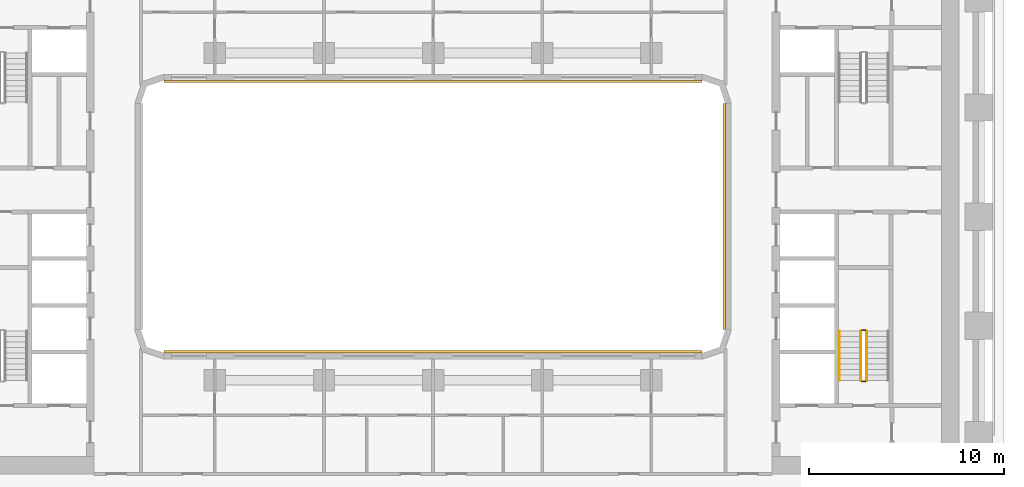
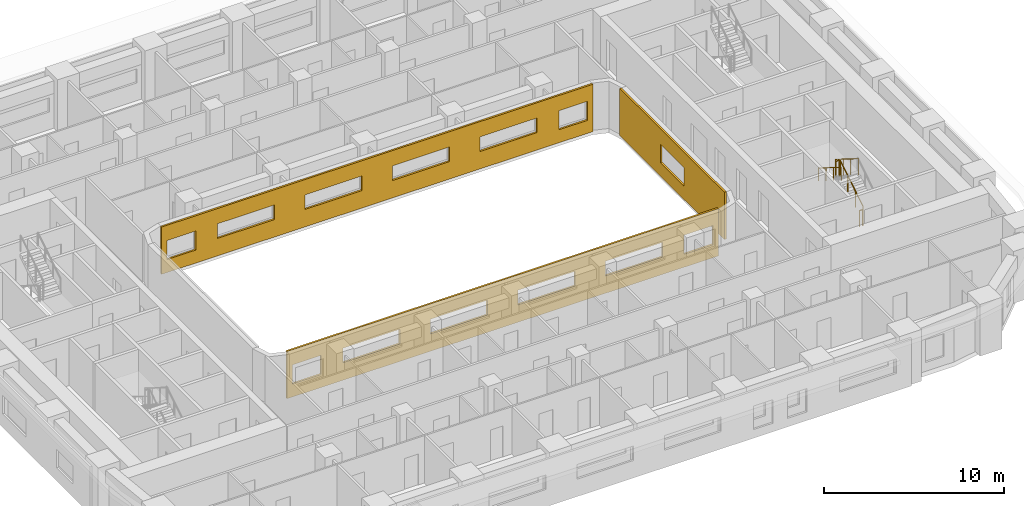
# One storey, part 17 of 22: 5 railings, 3 coverings.
"""IFC4 building model written with IfcOpenShell, lengths in metres."""

from ifc_helpers import new_model, si_unit, direction, frame, origin, origin_2d, place, context, subcontext, project, spatial, polyline, circle, outline, extrude, material, layer, layer_set, type_object, element, save


model = new_model("IFC4")

# Units and contexts
model_context = context("Model", 3, precision=1e-05, world=origin(), true_north=direction((0.0, 1.0)))
body_context = subcontext(model_context, "Body", "Model", "MODEL_VIEW")
ifc_project = project(units=[si_unit("LENGTHUNIT", "METRE"), si_unit("AREAUNIT", "SQUARE_METRE"), si_unit("VOLUMEUNIT", "CUBIC_METRE"), si_unit("PLANEANGLEUNIT", "RADIAN"), si_unit("MASSUNIT", "GRAM", prefix="KILO")], contexts=[model_context])

# Site, building, storey
site_placement = place(None, origin())
site = spatial("IfcSite", under=ifc_project, at=site_placement, CompositionType="ELEMENT")
building_placement = place(site_placement, origin())
building = spatial("IfcBuilding", under=site, at=building_placement, Name="Kiln Ring Residences", CompositionType="ELEMENT")
storey_placement = place(building_placement, frame((0.0, 0.0, 62.0)))
storey = spatial("IfcBuildingStorey", under=building, at=storey_placement, Name="L15", CompositionType="ELEMENT", Elevation=62.0)

# Railings
ifc_material_1 = material(Name="Stainless steel", Category="steel")
railing_type_1 = type_object("IfcRailingType", Name="CORE-STAIR-GUARD", PredefinedType="GUARDRAIL", material=ifc_material_1)
railing_1_placement = place(storey_placement, frame((22.25, -8.39990234375, 0.175048828125)))
element("IfcRailing", 1, at=railing_1_placement, inside=storey, type_object=railing_type_1, Name="L15 E-STS stair guard 1", PredefinedType="GUARDRAIL", context=body_context, shape_type="SweptSolid", body=[
    extrude(circle(Radius=0.02392578125, at=origin_2d()), frame((0.0, 0.0, 1.076171875), z_axis=(0.0, 0.848007534815, 0.529984170421), x_axis=(-1.0, 0.0, 0.0)), (0.0, 0.0, 1.0), 2.9716796875),
    extrude(circle(Radius=0.02099609375, at=origin_2d()), origin(), (0.0, 0.0, 1.0), 1.052001953125),
    extrude(circle(Radius=0.02099609375, at=origin_2d()), frame((0.0, 0.840087890625, 0.52490234375)), (0.0, 0.0, 1.0), 1.052001953125),
    extrude(circle(Radius=0.02099609375, at=origin_2d()), frame((0.0, 1.679931640625, 1.050048828125)), (0.0, 0.0, 1.0), 1.052001953125),
    extrude(circle(Radius=0.02099609375, at=origin_2d()), frame((0.0, 2.52001953125, 1.574951171875)), (0.0, 0.0, 1.0), 1.052001953125),
])
railing_2_placement = place(storey_placement, frame((22.199951171875, -5.830078125, 1.75)))
element("IfcRailing", 2, at=railing_2_placement, inside=storey, type_object=railing_type_1, Name="L15 E-STS stair guard 2", PredefinedType="GUARDRAIL", context=body_context, shape_type="SweptSolid", body=[
    extrude(circle(Radius=0.02392578125, at=origin_2d()), frame((0.0, 0.0, 1.076171875), z_axis=(-1.0, 0.0, 0.0), x_axis=(0.0, -1.0, 0.0)), (0.0, 0.0, 1.0), 0.199951171875),
    extrude(circle(Radius=0.02099609375, at=origin_2d()), origin(), (0.0, 0.0, 1.0), 1.052001953125),
    extrude(circle(Radius=0.02099609375, at=origin_2d()), frame((-0.199951171875, 0.0, 0.0)), (0.0, 0.0, 1.0), 1.052001953125),
])
railing_3_placement = place(storey_placement, frame((21.949951171875, -5.8798828125, 1.925048828125)))
element("IfcRailing", 3, at=railing_3_placement, inside=storey, type_object=railing_type_1, Name="L15 E-STS stair guard 3", PredefinedType="GUARDRAIL", context=body_context, shape_type="SweptSolid", body=[
    extrude(circle(Radius=0.02392578125, at=origin_2d()), frame((0.0, 0.0, 1.076171875), z_axis=(0.0, -0.848007534815, 0.529984170421), x_axis=(1.0, 0.0, 0.0)), (0.0, 0.0, 1.0), 2.9716796875),
    extrude(circle(Radius=0.02099609375, at=origin_2d()), origin(), (0.0, 0.0, 1.0), 1.052001953125),
    extrude(circle(Radius=0.02099609375, at=origin_2d()), frame((0.0, -0.840087890625, 0.52490234375)), (0.0, 0.0, 1.0), 1.052001953125),
    extrude(circle(Radius=0.02099609375, at=origin_2d()), frame((0.0, -1.679931640625, 1.050048828125)), (0.0, 0.0, 1.0), 1.052001953125),
    extrude(circle(Radius=0.02099609375, at=origin_2d()), frame((0.0, -2.52001953125, 1.574951171875)), (0.0, 0.0, 1.0), 1.052001953125),
])
railing_4_placement = place(storey_placement, frame((22.199951171875, -8.449951171875, 0.0)))
element("IfcRailing", 4, at=railing_4_placement, inside=storey, type_object=railing_type_1, Name="L15 E-STS stair guard 4", PredefinedType="GUARDRAIL", context=body_context, shape_type="SweptSolid", body=[
    extrude(circle(Radius=0.02392578125, at=origin_2d()), frame((0.0, 0.0, 1.076171875), z_axis=(-1.0, 0.0, 0.0), x_axis=(0.0, -1.0, 0.0)), (0.0, 0.0, 1.0), 0.199951171875),
    extrude(circle(Radius=0.02099609375, at=origin_2d()), origin(), (0.0, 0.0, 1.0), 1.052001953125),
    extrude(circle(Radius=0.02099609375, at=origin_2d()), frame((-0.199951171875, 0.0, 0.0)), (0.0, 0.0, 1.0), 1.052001953125),
])
ifc_material_2 = material(Name="Stainless steel", Category="steel")
railing_type_2 = type_object("IfcRailingType", Name="CORE-STAIR-HANDRAIL", PredefinedType="HANDRAIL", material=ifc_material_2)
railing_5_placement = place(storey_placement, frame((20.85009765625, -5.8798828125, 1.925048828125)))
element("IfcRailing", 5, at=railing_5_placement, inside=storey, type_object=railing_type_2, Name="L15 E-STS stair handrail 2", PredefinedType="HANDRAIL", context=body_context, shape_type="SweptSolid", body=[
    extrude(circle(Radius=0.02392578125, at=origin_2d()), frame((0.0, 0.0, 0.8759765625), z_axis=(0.0, -0.848007534815, 0.529984170421), x_axis=(1.0, 0.0, 0.0)), (0.0, 0.0, 1.0), 2.9716796875),
    extrude(circle(Radius=0.02099609375, at=origin_2d()), origin(), (0.0, 0.0, 1.0), 0.851806640625),
    extrude(circle(Radius=0.02099609375, at=origin_2d()), frame((0.0, -0.840087890625, 0.52490234375)), (0.0, 0.0, 1.0), 0.851806640625),
    extrude(circle(Radius=0.02099609375, at=origin_2d()), frame((0.0, -1.679931640625, 1.050048828125)), (0.0, 0.0, 1.0), 0.851806640625),
    extrude(circle(Radius=0.02099609375, at=origin_2d()), frame((0.0, -2.52001953125, 1.574951171875)), (0.0, 0.0, 1.0), 0.851806640625),
])

# Coverings
ifc_material_3 = material(Name="Brick masonry, dark clay brick", Category="masonry")
ifc_layer = layer(ifc_material_3, 0.1201171875)
ifc_layer_set = layer_set([ifc_layer], Name="RAINSCREEN PANEL 120")
covering_type = type_object("IfcCoveringType", Name="RAINSCREEN PANEL 120", PredefinedType="CLADDING", material=ifc_layer_set)
covering_1_placement = place(storey_placement, frame((-13.800048828125, 6.93994140625, 0.0), z_axis=(0.0, 0.0, 1.0), x_axis=(1.0, 0.0, 0.0)))
element("IfcCovering", 6, at=covering_1_placement, inside=storey, type_object=covering_type, Name="RAINSCREEN L15", PredefinedType="CLADDING", context=body_context, shape_type="SweptSolid", body=[
    extrude(outline(polyline([(0.0, 0.0), (27.60009765625, 0.0), (27.60009765625, 3.199951171875), (0.0, 3.199951171875), (0.0, 0.0)]), holes=[polyline([(2.1826171875, 0.8798828125), (2.1826171875, 2.169921875), (0.342529296875, 2.169921875), (0.342529296875, 0.8798828125), (2.1826171875, 0.8798828125)]), polyline([(25.41748046875, 0.8798828125), (27.257568359375, 0.8798828125), (27.257568359375, 2.169921875), (25.41748046875, 2.169921875), (25.41748046875, 0.8798828125)]), polyline([(3.580078125, 1.179931640625), (7.219970703125, 1.179931640625), (7.219970703125, 2.169921875), (3.580078125, 2.169921875), (3.580078125, 1.179931640625)]), polyline([(12.820068359375, 1.179931640625), (12.820068359375, 2.169921875), (9.179931640625, 2.169921875), (9.179931640625, 1.179931640625), (12.820068359375, 1.179931640625)]), polyline([(14.780029296875, 1.179931640625), (18.419921875, 1.179931640625), (18.419921875, 2.169921875), (14.780029296875, 2.169921875), (14.780029296875, 1.179931640625)]), polyline([(20.3798828125, 1.179931640625), (24.02001953125, 1.179931640625), (24.02001953125, 2.169921875), (20.3798828125, 2.169921875), (20.3798828125, 1.179931640625)])]), frame((0.0, 0.06005859375, 0.0), z_axis=(0.0, -1.0, 0.0), x_axis=(1.0, 0.0, 0.0)), (0.0, 0.0, 1.0), 0.1201171875),
])
covering_2_placement = place(storey_placement, frame((14.93994140625, 5.800048828125, 0.0), z_axis=(0.0, 0.0, 1.0), x_axis=(0.0, -1.0, 0.0)))
element("IfcCovering", 7, at=covering_2_placement, inside=storey, type_object=covering_type, Name="RAINSCREEN L15", PredefinedType="CLADDING", context=body_context, shape_type="SweptSolid", body=[
    extrude(outline(polyline([(0.0, 0.0), (11.60009765625, 0.0), (11.60009765625, 3.199951171875), (0.0, 3.199951171875), (0.0, 0.0)]), holes=[polyline([(4.5, 2.14990234375), (4.5, 0.89990234375), (7.10009765625, 0.89990234375), (7.10009765625, 2.14990234375), (4.5, 2.14990234375)])]), frame((0.0, 0.06005859375, 0.0), z_axis=(0.0, -1.0, 0.0), x_axis=(1.0, 0.0, 0.0)), (0.0, 0.0, 1.0), 0.1201171875),
])
covering_3_placement = place(storey_placement, frame((13.800048828125, -6.93994140625, 0.0), z_axis=(0.0, 0.0, 1.0), x_axis=(-1.0, 0.0, 0.0)))
element("IfcCovering", 8, at=covering_3_placement, inside=storey, type_object=covering_type, Name="RAINSCREEN L15", PredefinedType="CLADDING", context=body_context, shape_type="SweptSolid", body=[
    extrude(outline(polyline([(0.0, 0.0), (27.60009765625, 0.0), (27.60009765625, 3.199951171875), (0.0, 3.199951171875), (0.0, 0.0)]), holes=[polyline([(2.1826171875, 0.8798828125), (2.1826171875, 2.169921875), (0.342529296875, 2.169921875), (0.342529296875, 0.8798828125), (2.1826171875, 0.8798828125)]), polyline([(25.41748046875, 0.8798828125), (27.257568359375, 0.8798828125), (27.257568359375, 2.169921875), (25.41748046875, 2.169921875), (25.41748046875, 0.8798828125)]), polyline([(3.580078125, 1.179931640625), (7.219970703125, 1.179931640625), (7.219970703125, 2.169921875), (3.580078125, 2.169921875), (3.580078125, 1.179931640625)]), polyline([(12.820068359375, 1.179931640625), (12.820068359375, 2.169921875), (9.179931640625, 2.169921875), (9.179931640625, 1.179931640625), (12.820068359375, 1.179931640625)]), polyline([(14.780029296875, 1.179931640625), (18.419921875, 1.179931640625), (18.419921875, 2.169921875), (14.780029296875, 2.169921875), (14.780029296875, 1.179931640625)]), polyline([(20.3798828125, 1.179931640625), (24.02001953125, 1.179931640625), (24.02001953125, 2.169921875), (20.3798828125, 2.169921875), (20.3798828125, 1.179931640625)])]), frame((0.0, 0.06005859375, 0.0), z_axis=(0.0, -1.0, 0.0), x_axis=(1.0, 0.0, 0.0)), (0.0, 0.0, 1.0), 0.1201171875),
])

save(model, "model.ifc")
